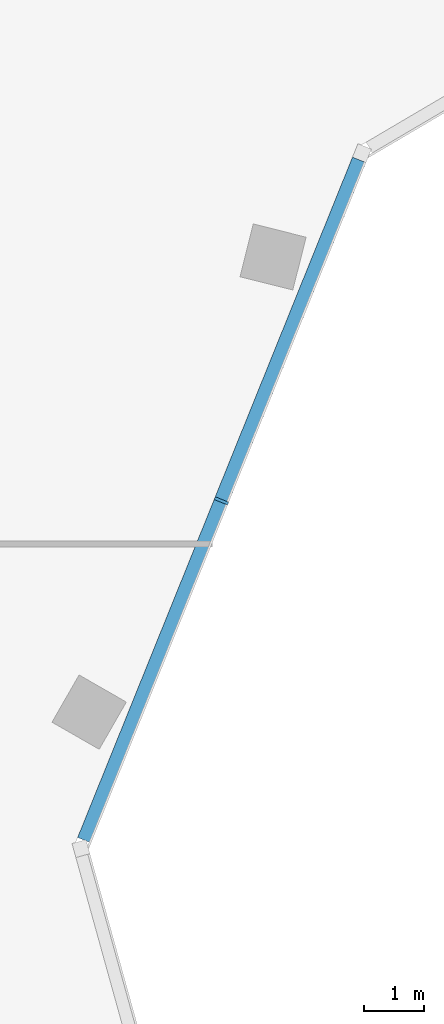
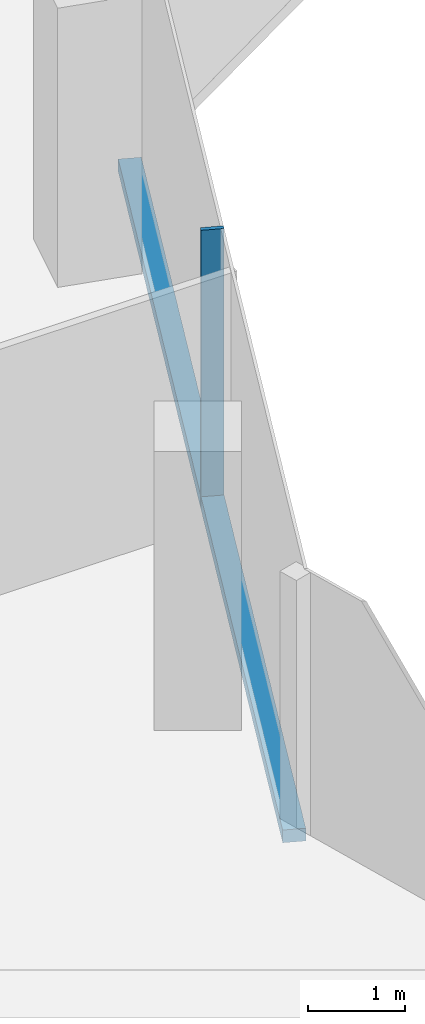
# One storey, part 5 of 16: 2 members, 1 element without a shape of its own.
"""IFC4 building model written with IfcOpenShell, lengths in metres."""

from ifc_helpers import new_model, si_unit, direction, frame, origin, origin_2d, place, context, subcontext, project, spatial, rectangle, extrude, material, material_profile, profile_set, type_object, element, aggregate, save


model = new_model("IFC4")

# Units and contexts
model_context = context("Model", 3, precision=1e-05, world=origin(), true_north=direction((0.0, 1.0)))
body_context = subcontext(model_context, "Body", "Model", "MODEL_VIEW")
ifc_project = project(units=[si_unit("LENGTHUNIT", "METRE"), si_unit("AREAUNIT", "SQUARE_METRE"), si_unit("VOLUMEUNIT", "CUBIC_METRE"), si_unit("PLANEANGLEUNIT", "RADIAN"), si_unit("MASSUNIT", "GRAM", prefix="KILO")], contexts=[model_context])

# Site, building, storey
site_placement = place(None, origin())
site = spatial("IfcSite", under=ifc_project, at=site_placement, CompositionType="ELEMENT")
building_placement = place(site_placement, origin())
building = spatial("IfcBuilding", under=site, at=building_placement, Name="Orlundy Tower", CompositionType="ELEMENT")
storey_placement = place(building_placement, frame((0.0, 0.0, 285.89990234375)))
storey = spatial("IfcBuildingStorey", under=building, at=storey_placement, Name="L76", CompositionType="ELEMENT", Elevation=285.89990234375)

# Curtain wall, members
ifc_material_1 = material(Name="Aluminium bronze anodised", Category="aluminium")
curtain_wall_type = type_object("IfcCurtainWallType", Name="CW6 wall", PredefinedType="NOTDEFINED", material=ifc_material_1)
curtain_wall_placement = place(storey_placement, origin())
curtain_wall = element("IfcCurtainWall", 1, at=curtain_wall_placement, inside=storey, type_object=curtain_wall_type, Name="CW6 run 01", PredefinedType="NOTDEFINED")
ifc_material_2 = material(Name="Aluminium bronze anodised", Category="aluminium")
ifc_material_profile_1 = material_profile(ifc_material_2, rectangle(XDim=0.239990234375, YDim=0.050048828125, at=origin_2d()), Name="CW6 mullion 50x240")
ifc_profile_set_1 = profile_set([ifc_material_profile_1], Name="Aluminium bronze anodised")
member_type_1 = type_object("IfcMemberType", Name="CW6 mullion 50x240", PredefinedType="MULLION", material=ifc_profile_set_1)
member_1_placement = place(storey_placement, frame((27.9267578125, -11.283447265625, -0.39990234375), z_axis=(0.0, 0.0, 1.0), x_axis=(0.927195304229, -0.37457825326, 0.0)))
member_1 = element("IfcMember", 2, at=member_1_placement, type_object=member_type_1, Name="CW6 mullion 4", PredefinedType="MULLION", context=body_context, shape_type="SweptSolid", body=[
    extrude(rectangle(XDim=0.239990234375, YDim=0.050048828125, at=origin_2d()), origin(), (0.0, 0.0, 1.0), 3.5),
])
ifc_material_3 = material(Name="Aluminium bronze anodised", Category="aluminium")
ifc_material_profile_2 = material_profile(ifc_material_3, rectangle(XDim=0.239990234375, YDim=0.159912109375, at=origin_2d()), Name="CW6 transom 240x160")
ifc_profile_set_2 = profile_set([ifc_material_profile_2], Name="Aluminium bronze anodised")
member_type_2 = type_object("IfcMemberType", Name="CW6 transom 240x160", PredefinedType="USERDEFINED", material=ifc_profile_set_2)
member_2_placement = place(storey_placement, frame((30.205078125, -5.64404296875, -0.31982421875), z_axis=(-0.374580153856, -0.927194536404, 0.0), x_axis=(0.927194536404, -0.374580153856, 0.0)))
member_2 = element("IfcMember", 3, at=member_2_placement, type_object=member_type_2, Name="CW6 transom", ObjectType="TRANSOM", PredefinedType="USERDEFINED", context=body_context, shape_type="SweptSolid", body=[
    extrude(rectangle(XDim=0.239990234375, YDim=0.159912109375, at=origin_2d()), origin(), (0.0, 0.0, 1.0), 12.13330078125),
])
aggregate(curtain_wall, [member_1, member_2])

save(model, "model.ifc")
